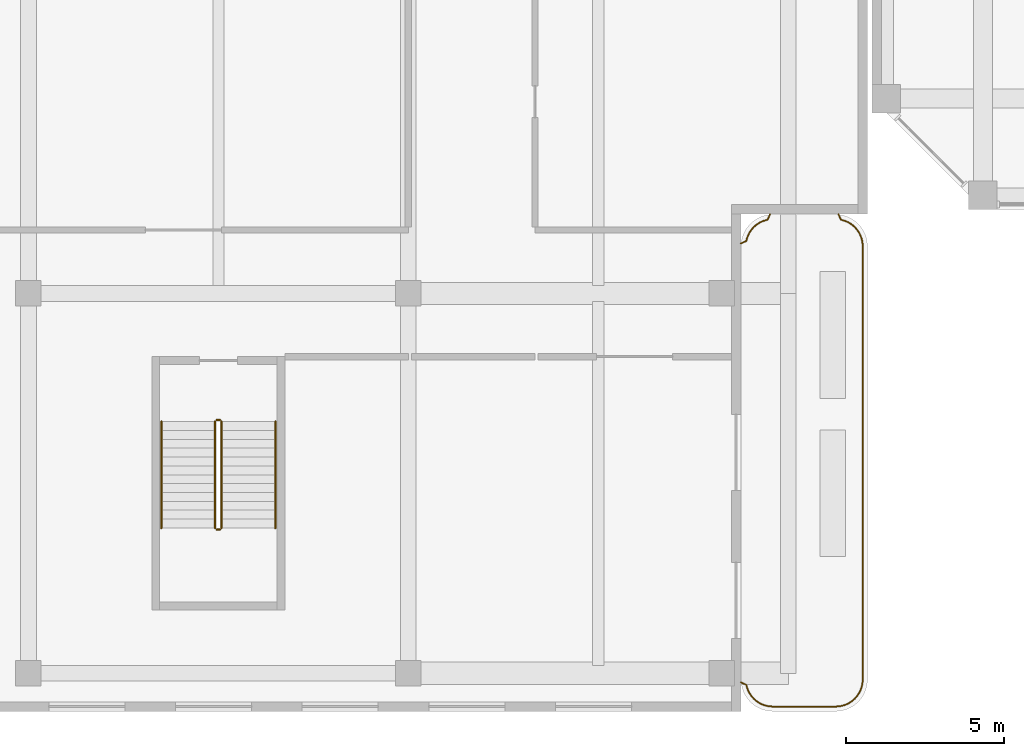
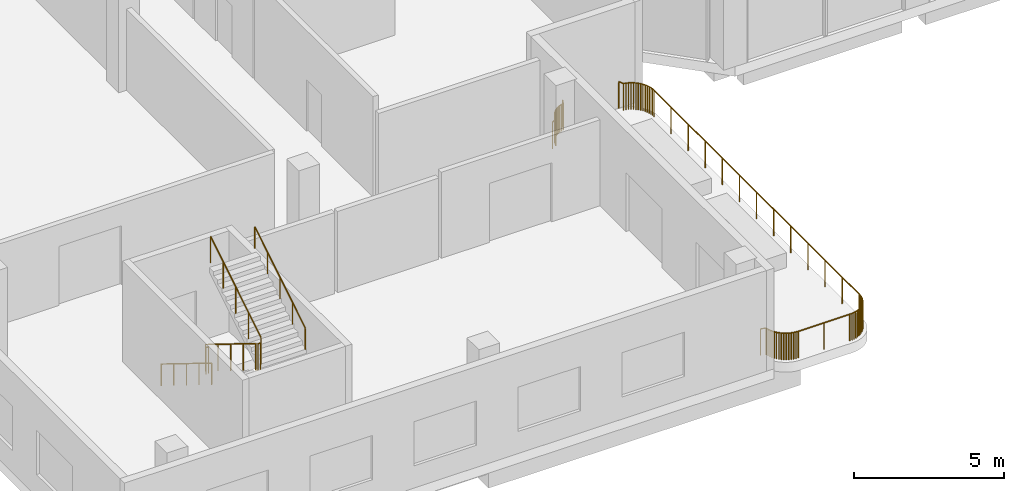
# One storey, part 27 of 35: 8 railings.
"""IFC4 building model written with IfcOpenShell, lengths in metres."""

from ifc_helpers import new_model, si_unit, direction, frame, origin, origin_2d, place, context, subcontext, project, spatial, circle, extrude, material, type_object, element, save


model = new_model("IFC4")

# Units and contexts
model_context = context("Model", 3, precision=1e-05, world=origin(), true_north=direction((0.0, 1.0)))
body_context = subcontext(model_context, "Body", "Model", "MODEL_VIEW")
ifc_project = project(units=[si_unit("LENGTHUNIT", "METRE"), si_unit("AREAUNIT", "SQUARE_METRE"), si_unit("VOLUMEUNIT", "CUBIC_METRE"), si_unit("PLANEANGLEUNIT", "RADIAN"), si_unit("MASSUNIT", "GRAM", prefix="KILO")], contexts=[model_context])

# Site, building, storey
site_placement = place(None, origin())
site = spatial("IfcSite", under=ifc_project, at=site_placement, CompositionType="ELEMENT")
building_placement = place(site_placement, origin())
building = spatial("IfcBuilding", under=site, at=building_placement, Name="Kilnfold Tower and Market Hall", CompositionType="ELEMENT")
storey_placement = place(building_placement, frame((0.0, 0.0, 13.5)))
storey = spatial("IfcBuildingStorey", under=building, at=storey_placement, Name="L02", CompositionType="ELEMENT", Elevation=13.5)

# Railings
ifc_material_1 = material(Name="Steel S355", Category="steel")
railing_type_1 = type_object("IfcRailingType", Name="HALL STAIR GUARD 1100", PredefinedType="GUARDRAIL", material=ifc_material_1)
railing_1_placement = place(storey_placement, frame((-48.75, -34.699951171875, 0.173095703125)))
element("IfcRailing", 1, at=railing_1_placement, inside=storey, type_object=railing_type_1, Name="L02 MS1 stair guard 1", PredefinedType="GUARDRAIL", context=body_context, shape_type="SweptSolid", body=[
    extrude(circle(Radius=0.02392578125, at=origin_2d()), frame((0.0, 0.0, 1.076171875), z_axis=(0.0, -0.850623216509, 0.525775754039), x_axis=(1.0, 0.0, 0.0)), (0.0, 0.0, 1.0), 3.9501953125),
    extrude(circle(Radius=0.02099609375, at=origin_2d()), origin(), (0.0, 0.0, 1.0), 1.052001953125),
    extrude(circle(Radius=0.02099609375, at=origin_2d()), frame((0.0, -0.840087890625, 0.519287109375)), (0.0, 0.0, 1.0), 1.052001953125),
    extrude(circle(Radius=0.02099609375, at=origin_2d()), frame((0.0, -1.68017578125, 1.03857421875)), (0.0, 0.0, 1.0), 1.052001953125),
    extrude(circle(Radius=0.02099609375, at=origin_2d()), frame((0.0, -2.52001953125, 1.5576171875)), (0.0, 0.0, 1.0), 1.052001953125),
    extrude(circle(Radius=0.02099609375, at=origin_2d()), frame((0.0, -3.360107421875, 2.076904296875)), (0.0, 0.0, 1.0), 1.052001953125),
])
railing_2_placement = place(storey_placement, frame((-48.699951171875, -38.110107421875, 2.25)))
element("IfcRailing", 2, at=railing_2_placement, inside=storey, type_object=railing_type_1, Name="L02 MS1 stair guard 2", PredefinedType="GUARDRAIL", context=body_context, shape_type="SweptSolid", body=[
    extrude(circle(Radius=0.02392578125, at=origin_2d()), frame((0.0, 0.0, 1.076171875), z_axis=(1.0, 0.0, 0.0), x_axis=(0.0, 1.0, 0.0)), (0.0, 0.0, 1.0), 0.099853515625),
    extrude(circle(Radius=0.02099609375, at=origin_2d()), origin(), (0.0, 0.0, 1.0), 1.052001953125),
    extrude(circle(Radius=0.02099609375, at=origin_2d()), frame((0.099853515625, 0.0, 0.0)), (0.0, 0.0, 1.0), 1.052001953125),
])
railing_3_placement = place(storey_placement, frame((-48.550048828125, -38.06005859375, 2.423095703125)))
element("IfcRailing", 3, at=railing_3_placement, inside=storey, type_object=railing_type_1, Name="L02 MS1 stair guard 3", PredefinedType="GUARDRAIL", context=body_context, shape_type="SweptSolid", body=[
    extrude(circle(Radius=0.02392578125, at=origin_2d()), frame((0.0, 0.0, 1.076171875), z_axis=(0.0, 0.850623216509, 0.525775754039), x_axis=(-1.0, 0.0, 0.0)), (0.0, 0.0, 1.0), 3.9501953125),
    extrude(circle(Radius=0.02099609375, at=origin_2d()), origin(), (0.0, 0.0, 1.0), 1.052001953125),
    extrude(circle(Radius=0.02099609375, at=origin_2d()), frame((0.0, 0.840087890625, 0.519287109375)), (0.0, 0.0, 1.0), 1.052001953125),
    extrude(circle(Radius=0.02099609375, at=origin_2d()), frame((0.0, 1.68017578125, 1.03857421875)), (0.0, 0.0, 1.0), 1.052001953125),
    extrude(circle(Radius=0.02099609375, at=origin_2d()), frame((0.0, 2.52001953125, 1.5576171875)), (0.0, 0.0, 1.0), 1.052001953125),
    extrude(circle(Radius=0.02099609375, at=origin_2d()), frame((0.0, 3.360107421875, 2.076904296875)), (0.0, 0.0, 1.0), 1.052001953125),
])
railing_4_placement = place(storey_placement, frame((-48.699951171875, -34.64990234375, 0.0)))
element("IfcRailing", 4, at=railing_4_placement, inside=storey, type_object=railing_type_1, Name="L02 MS1 stair guard 4", PredefinedType="GUARDRAIL", context=body_context, shape_type="SweptSolid", body=[
    extrude(circle(Radius=0.02392578125, at=origin_2d()), frame((0.0, 0.0, 1.076171875), z_axis=(1.0, 0.0, 0.0), x_axis=(0.0, 1.0, 0.0)), (0.0, 0.0, 1.0), 0.099853515625),
    extrude(circle(Radius=0.02099609375, at=origin_2d()), origin(), (0.0, 0.0, 1.0), 1.052001953125),
    extrude(circle(Radius=0.02099609375, at=origin_2d()), frame((0.099853515625, 0.0, 0.0)), (0.0, 0.0, 1.0), 1.052001953125),
])
ifc_material_2 = material(Name="Steel S355", Category="steel")
railing_type_2 = type_object("IfcRailingType", Name="HALL STAIR HANDRAIL", PredefinedType="HANDRAIL", material=ifc_material_2)
railing_5_placement = place(storey_placement, frame((-50.449951171875, -34.699951171875, 0.173095703125)))
element("IfcRailing", 5, at=railing_5_placement, inside=storey, type_object=railing_type_2, Name="L02 MS1 stair handrail 1", PredefinedType="HANDRAIL", context=body_context, shape_type="SweptSolid", body=[
    extrude(circle(Radius=0.02392578125, at=origin_2d()), frame((0.0, 0.0, 0.8759765625), z_axis=(0.0, -0.850623216509, 0.525775754039), x_axis=(1.0, 0.0, 0.0)), (0.0, 0.0, 1.0), 3.9501953125),
    extrude(circle(Radius=0.02099609375, at=origin_2d()), origin(), (0.0, 0.0, 1.0), 0.851806640625),
    extrude(circle(Radius=0.02099609375, at=origin_2d()), frame((0.0, -0.840087890625, 0.519287109375)), (0.0, 0.0, 1.0), 0.851806640625),
    extrude(circle(Radius=0.02099609375, at=origin_2d()), frame((0.0, -1.68017578125, 1.03857421875)), (0.0, 0.0, 1.0), 0.851806640625),
    extrude(circle(Radius=0.02099609375, at=origin_2d()), frame((0.0, -2.52001953125, 1.5576171875)), (0.0, 0.0, 1.0), 0.851806640625),
    extrude(circle(Radius=0.02099609375, at=origin_2d()), frame((0.0, -3.360107421875, 2.076904296875)), (0.0, 0.0, 1.0), 0.851806640625),
])
railing_6_placement = place(storey_placement, frame((-46.85009765625, -38.06005859375, 2.423095703125)))
element("IfcRailing", 6, at=railing_6_placement, inside=storey, type_object=railing_type_2, Name="L02 MS1 stair handrail 2", PredefinedType="HANDRAIL", context=body_context, shape_type="SweptSolid", body=[
    extrude(circle(Radius=0.02392578125, at=origin_2d()), frame((0.0, 0.0, 0.8759765625), z_axis=(0.0, 0.850623216509, 0.525775754039), x_axis=(-1.0, 0.0, 0.0)), (0.0, 0.0, 1.0), 3.9501953125),
    extrude(circle(Radius=0.02099609375, at=origin_2d()), origin(), (0.0, 0.0, 1.0), 0.851806640625),
    extrude(circle(Radius=0.02099609375, at=origin_2d()), frame((0.0, 0.840087890625, 0.519287109375)), (0.0, 0.0, 1.0), 0.851806640625),
    extrude(circle(Radius=0.02099609375, at=origin_2d()), frame((0.0, 1.68017578125, 1.03857421875)), (0.0, 0.0, 1.0), 0.851806640625),
    extrude(circle(Radius=0.02099609375, at=origin_2d()), frame((0.0, 2.52001953125, 1.5576171875)), (0.0, 0.0, 1.0), 0.851806640625),
    extrude(circle(Radius=0.02099609375, at=origin_2d()), frame((0.0, 3.360107421875, 2.076904296875)), (0.0, 0.0, 1.0), 0.851806640625),
])
ifc_material_3 = material(Name="Steel S355", Category="steel")
railing_type_3 = type_object("IfcRailingType", Name="TERRACE GUARD 1100", PredefinedType="GUARDRAIL", material=ifc_material_3)
railing_7_placement = place(storey_placement, frame((-29.066650390625, -28.14990234375, 0.0)))
element("IfcRailing", 7, at=railing_7_placement, inside=storey, type_object=railing_type_3, Name="Terrace guard L02", PredefinedType="GUARDRAIL", context=body_context, shape_type="SweptSolid", body=[
    extrude(circle(Radius=0.02392578125, at=origin_2d()), frame((0.0, 0.0, 1.076171875), z_axis=(0.42350270475, -0.905894838858, 0.0), x_axis=(0.905894838858, 0.42350270475, 0.0)), (0.0, 0.0, 1.0), 0.19482421875),
    extrude(circle(Radius=0.02392578125, at=origin_2d()), frame((0.08251953125, -0.176513671875, 1.076171875), z_axis=(0.969969877317, -0.243225074977, 0.0), x_axis=(0.243225074977, 0.969969877317, 0.0)), (0.0, 0.0, 1.0), 0.083251953125),
    extrude(circle(Radius=0.02392578125, at=origin_2d()), frame((0.163330078125, -0.19677734375, 1.076171875), z_axis=(0.940812896161, -0.338926384952, 0.0), x_axis=(0.338926384952, 0.940812896161, 0.0)), (0.0, 0.0, 1.0), 0.08349609375),
    extrude(circle(Radius=0.02392578125, at=origin_2d()), frame((0.241943359375, -0.22509765625, 1.076171875), z_axis=(0.904752118748, -0.425938497463, 0.0), x_axis=(0.425938497463, 0.904752118748, 0.0)), (0.0, 0.0, 1.0), 0.0830078125),
    extrude(circle(Radius=0.02392578125, at=origin_2d()), frame((0.317138671875, -0.260498046875, 1.076171875), z_axis=(0.857234666397, -0.514925942955, 0.0), x_axis=(0.514925942955, 0.857234666397, 0.0)), (0.0, 0.0, 1.0), 0.08349609375),
    extrude(circle(Radius=0.02392578125, at=origin_2d()), frame((0.388671875, -0.303466796875, 1.076171875), z_axis=(0.803143107794, -0.595786159963, 0.0), x_axis=(0.595786159963, 0.803143107794, 0.0)), (0.0, 0.0, 1.0), 0.08349609375),
    extrude(circle(Radius=0.02392578125, at=origin_2d()), frame((0.455810546875, -0.353271484375, 1.076171875), z_axis=(0.741396915291, -0.671066773129, 0.0), x_axis=(0.671066773129, 0.741396915291, 0.0)), (0.0, 0.0, 1.0), 0.083251953125),
    extrude(circle(Radius=0.02392578125, at=origin_2d()), frame((0.517578125, -0.4091796875, 1.076171875), z_axis=(0.671066773129, -0.741396915291, 0.0), x_axis=(0.741396915291, 0.671066773129, 0.0)), (0.0, 0.0, 1.0), 0.083251953125),
    extrude(circle(Radius=0.02392578125, at=origin_2d()), frame((0.573486328125, -0.470947265625, 1.076171875), z_axis=(0.595786159963, -0.803143107794, 0.0), x_axis=(0.803143107794, 0.595786159963, 0.0)), (0.0, 0.0, 1.0), 0.08349609375),
    extrude(circle(Radius=0.02392578125, at=origin_2d()), frame((0.623291015625, -0.5380859375, 1.076171875), z_axis=(0.514925942955, -0.857234666397, 0.0), x_axis=(0.857234666397, 0.514925942955, 0.0)), (0.0, 0.0, 1.0), 0.08349609375),
    extrude(circle(Radius=0.02392578125, at=origin_2d()), frame((0.666259765625, -0.609619140625, 1.076171875), z_axis=(0.425938497463, -0.904752118748, 0.0), x_axis=(0.904752118748, 0.425938497463, 0.0)), (0.0, 0.0, 1.0), 0.0830078125),
    extrude(circle(Radius=0.02392578125, at=origin_2d()), frame((0.70166015625, -0.684814453125, 1.076171875), z_axis=(0.336336396998, -0.941741911595, 0.0), x_axis=(0.941741911595, 0.336336396998, 0.0)), (0.0, 0.0, 1.0), 0.08349609375),
    extrude(circle(Radius=0.02392578125, at=origin_2d()), frame((0.729736328125, -0.763427734375, 1.076171875), z_axis=(0.245979182383, -0.969275111531, 0.0), x_axis=(0.969275111531, 0.245979182383, 0.0)), (0.0, 0.0, 1.0), 0.083251953125),
    extrude(circle(Radius=0.02392578125, at=origin_2d()), frame((0.750244140625, -0.84423828125, 1.076171875), z_axis=(0.146336518873, -0.989234867584, 0.0), x_axis=(0.989234867584, 0.146336518873, 0.0)), (0.0, 0.0, 1.0), 0.08349609375),
    extrude(circle(Radius=0.02392578125, at=origin_2d()), frame((0.762451171875, -0.9267578125, 1.076171875), z_axis=(0.047565149415, -0.998868137724, 0.0), x_axis=(0.998868137724, 0.047565149415, 0.0)), (0.0, 0.0, 1.0), 0.087158203125),
    extrude(circle(Radius=0.02392578125, at=origin_2d()), frame((0.7666015625, -1.013916015625, 1.076171875), z_axis=(0.0, -1.0, 0.0), x_axis=(1.0, 0.0, 0.0)), (0.0, 0.0, 1.0), 13.682373046875),
    extrude(circle(Radius=0.02392578125, at=origin_2d()), frame((0.7666015625, -14.6962890625, 1.076171875), z_axis=(-0.047565149415, -0.998868137724, 0.0), x_axis=(0.998868137724, -0.047565149415, 0.0)), (0.0, 0.0, 1.0), 0.087158203125),
    extrude(circle(Radius=0.02392578125, at=origin_2d()), frame((0.762451171875, -14.783447265625, 1.076171875), z_axis=(-0.146336518873, -0.989234867584, 0.0), x_axis=(0.989234867584, -0.146336518873, 0.0)), (0.0, 0.0, 1.0), 0.08349609375),
    extrude(circle(Radius=0.02392578125, at=origin_2d()), frame((0.750244140625, -14.865966796875, 1.076171875), z_axis=(-0.245979182383, -0.969275111531, 0.0), x_axis=(0.969275111531, -0.245979182383, 0.0)), (0.0, 0.0, 1.0), 0.083251953125),
    extrude(circle(Radius=0.02392578125, at=origin_2d()), frame((0.729736328125, -14.94677734375, 1.076171875), z_axis=(-0.336336396998, -0.941741911595, 0.0), x_axis=(0.941741911595, -0.336336396998, 0.0)), (0.0, 0.0, 1.0), 0.08349609375),
    extrude(circle(Radius=0.02392578125, at=origin_2d()), frame((0.70166015625, -15.025390625, 1.076171875), z_axis=(-0.425938497463, -0.904752118748, 0.0), x_axis=(0.904752118748, -0.425938497463, 0.0)), (0.0, 0.0, 1.0), 0.0830078125),
    extrude(circle(Radius=0.02392578125, at=origin_2d()), frame((0.666259765625, -15.1005859375, 1.076171875), z_axis=(-0.514925942955, -0.857234666397, 0.0), x_axis=(0.857234666397, -0.514925942955, 0.0)), (0.0, 0.0, 1.0), 0.08349609375),
    extrude(circle(Radius=0.02392578125, at=origin_2d()), frame((0.623291015625, -15.172119140625, 1.076171875), z_axis=(-0.595786159963, -0.803143107794, 0.0), x_axis=(0.803143107794, -0.595786159963, 0.0)), (0.0, 0.0, 1.0), 0.08349609375),
    extrude(circle(Radius=0.02392578125, at=origin_2d()), frame((0.573486328125, -15.2392578125, 1.076171875), z_axis=(-0.671066773129, -0.741396915291, 0.0), x_axis=(0.741396915291, -0.671066773129, 0.0)), (0.0, 0.0, 1.0), 0.083251953125),
    extrude(circle(Radius=0.02392578125, at=origin_2d()), frame((0.517578125, -15.301025390625, 1.076171875), z_axis=(-0.741396915291, -0.671066773129, 0.0), x_axis=(0.671066773129, -0.741396915291, 0.0)), (0.0, 0.0, 1.0), 0.083251953125),
    extrude(circle(Radius=0.02392578125, at=origin_2d()), frame((0.455810546875, -15.35693359375, 1.076171875), z_axis=(-0.803143107794, -0.595786159963, 0.0), x_axis=(0.595786159963, -0.803143107794, 0.0)), (0.0, 0.0, 1.0), 0.08349609375),
    extrude(circle(Radius=0.02392578125, at=origin_2d()), frame((0.388671875, -15.40673828125, 1.076171875), z_axis=(-0.857234666397, -0.514925942955, 0.0), x_axis=(0.514925942955, -0.857234666397, 0.0)), (0.0, 0.0, 1.0), 0.08349609375),
    extrude(circle(Radius=0.02392578125, at=origin_2d()), frame((0.317138671875, -15.44970703125, 1.076171875), z_axis=(-0.904752118748, -0.425938497463, 0.0), x_axis=(0.425938497463, -0.904752118748, 0.0)), (0.0, 0.0, 1.0), 0.0830078125),
    extrude(circle(Radius=0.02392578125, at=origin_2d()), frame((0.241943359375, -15.485107421875, 1.076171875), z_axis=(-0.941741911595, -0.336336396998, 0.0), x_axis=(0.336336396998, -0.941741911595, 0.0)), (0.0, 0.0, 1.0), 0.08349609375),
    extrude(circle(Radius=0.02392578125, at=origin_2d()), frame((0.163330078125, -15.51318359375, 1.076171875), z_axis=(-0.969275111531, -0.245979182383, 0.0), x_axis=(0.245979182383, -0.969275111531, 0.0)), (0.0, 0.0, 1.0), 0.083251953125),
    extrude(circle(Radius=0.02392578125, at=origin_2d()), frame((0.08251953125, -15.53369140625, 1.076171875), z_axis=(-0.989234867584, -0.146336518873, 0.0), x_axis=(0.146336518873, -0.989234867584, 0.0)), (0.0, 0.0, 1.0), 0.08349609375),
    extrude(circle(Radius=0.02392578125, at=origin_2d()), frame((0.0, -15.5458984375, 1.076171875), z_axis=(-0.998868137724, -0.047565149415, 0.0), x_axis=(0.047565149415, -0.998868137724, 0.0)), (0.0, 0.0, 1.0), 0.087158203125),
    extrude(circle(Radius=0.02392578125, at=origin_2d()), frame((-0.087158203125, -15.550048828125, 1.076171875), z_axis=(-1.0, 0.0, 0.0), x_axis=(0.0, -1.0, 0.0)), (0.0, 0.0, 1.0), 1.982421875),
    extrude(circle(Radius=0.02392578125, at=origin_2d()), frame((-2.069580078125, -15.550048828125, 1.076171875), z_axis=(-0.998868137724, 0.047565149415, 0.0), x_axis=(-0.047565149415, -0.998868137724, 0.0)), (0.0, 0.0, 1.0), 0.087158203125),
    extrude(circle(Radius=0.02392578125, at=origin_2d()), frame((-2.15673828125, -15.5458984375, 1.076171875), z_axis=(-0.989234867584, 0.146336518873, 0.0), x_axis=(-0.146336518873, -0.989234867584, 0.0)), (0.0, 0.0, 1.0), 0.08349609375),
    extrude(circle(Radius=0.02392578125, at=origin_2d()), frame((-2.2392578125, -15.53369140625, 1.076171875), z_axis=(-0.969275111531, 0.245979182383, 0.0), x_axis=(-0.245979182383, -0.969275111531, 0.0)), (0.0, 0.0, 1.0), 0.083251953125),
    extrude(circle(Radius=0.02392578125, at=origin_2d()), frame((-2.320068359375, -15.51318359375, 1.076171875), z_axis=(-0.941409695483, 0.337265155703, 0.0), x_axis=(-0.337265155703, -0.941409695483, 0.0)), (0.0, 0.0, 1.0), 0.083251953125),
    extrude(circle(Radius=0.02392578125, at=origin_2d()), frame((-2.3984375, -15.485107421875, 1.076171875), z_axis=(-0.905282934346, 0.424809143949, 0.0), x_axis=(-0.424809143949, -0.905282934346, 0.0)), (0.0, 0.0, 1.0), 0.083251953125),
    extrude(circle(Radius=0.02392578125, at=origin_2d()), frame((-2.473876953125, -15.44970703125, 1.076171875), z_axis=(-0.857234666397, 0.514925942955, 0.0), x_axis=(-0.514925942955, -0.857234666397, 0.0)), (0.0, 0.0, 1.0), 0.08349609375),
    extrude(circle(Radius=0.02392578125, at=origin_2d()), frame((-2.54541015625, -15.40673828125, 1.076171875), z_axis=(-0.803143107794, 0.595786159963, 0.0), x_axis=(-0.595786159963, -0.803143107794, 0.0)), (0.0, 0.0, 1.0), 0.08349609375),
    extrude(circle(Radius=0.02392578125, at=origin_2d()), frame((-2.612548828125, -15.35693359375, 1.076171875), z_axis=(-0.741396915291, 0.671066773129, 0.0), x_axis=(-0.671066773129, -0.741396915291, 0.0)), (0.0, 0.0, 1.0), 0.083251953125),
    extrude(circle(Radius=0.02392578125, at=origin_2d()), frame((-2.67431640625, -15.301025390625, 1.076171875), z_axis=(-0.671066773129, 0.741396915291, 0.0), x_axis=(-0.741396915291, -0.671066773129, 0.0)), (0.0, 0.0, 1.0), 0.083251953125),
    extrude(circle(Radius=0.02392578125, at=origin_2d()), frame((-2.730224609375, -15.2392578125, 1.076171875), z_axis=(-0.595786159963, 0.803143107794, 0.0), x_axis=(-0.803143107794, -0.595786159963, 0.0)), (0.0, 0.0, 1.0), 0.08349609375),
    extrude(circle(Radius=0.02392578125, at=origin_2d()), frame((-2.780029296875, -15.172119140625, 1.076171875), z_axis=(-0.512771115683, 0.858525353686, 0.0), x_axis=(-0.858525353686, -0.512771115683, 0.0)), (0.0, 0.0, 1.0), 0.083251953125),
    extrude(circle(Radius=0.02392578125, at=origin_2d()), frame((-2.82275390625, -15.1005859375, 1.076171875), z_axis=(-0.428338557428, 0.903618326629, 0.0), x_axis=(-0.903618326629, -0.428338557428, 0.0)), (0.0, 0.0, 1.0), 0.083251953125),
    extrude(circle(Radius=0.02392578125, at=origin_2d()), frame((-2.8583984375, -15.025390625, 1.076171875), z_axis=(-0.336336396998, 0.941741911595, 0.0), x_axis=(-0.941741911595, -0.336336396998, 0.0)), (0.0, 0.0, 1.0), 0.08349609375),
    extrude(circle(Radius=0.02392578125, at=origin_2d()), frame((-2.886474609375, -14.94677734375, 1.076171875), z_axis=(-0.243225074977, 0.969969877317, 0.0), x_axis=(-0.969969877317, -0.243225074977, 0.0)), (0.0, 0.0, 1.0), 0.083251953125),
    extrude(circle(Radius=0.02392578125, at=origin_2d()), frame((-2.90673828125, -14.865966796875, 1.076171875), z_axis=(-0.905894838858, 0.42350270475, 0.0), x_axis=(-0.42350270475, -0.905894838858, 0.0)), (0.0, 0.0, 1.0), 0.19482421875),
    extrude(circle(Radius=0.02099609375, at=origin_2d()), origin(), (0.0, 0.0, 1.0), 1.052001953125),
    extrude(circle(Radius=0.02099609375, at=origin_2d()), frame((0.08251953125, -0.176513671875, 0.0)), (0.0, 0.0, 1.0), 1.052001953125),
    extrude(circle(Radius=0.02099609375, at=origin_2d()), frame((0.163330078125, -0.19677734375, 0.0)), (0.0, 0.0, 1.0), 1.052001953125),
    extrude(circle(Radius=0.02099609375, at=origin_2d()), frame((0.241943359375, -0.22509765625, 0.0)), (0.0, 0.0, 1.0), 1.052001953125),
    extrude(circle(Radius=0.02099609375, at=origin_2d()), frame((0.317138671875, -0.260498046875, 0.0)), (0.0, 0.0, 1.0), 1.052001953125),
    extrude(circle(Radius=0.02099609375, at=origin_2d()), frame((0.388671875, -0.303466796875, 0.0)), (0.0, 0.0, 1.0), 1.052001953125),
    extrude(circle(Radius=0.02099609375, at=origin_2d()), frame((0.455810546875, -0.353271484375, 0.0)), (0.0, 0.0, 1.0), 1.052001953125),
    extrude(circle(Radius=0.02099609375, at=origin_2d()), frame((0.517578125, -0.4091796875, 0.0)), (0.0, 0.0, 1.0), 1.052001953125),
    extrude(circle(Radius=0.02099609375, at=origin_2d()), frame((0.573486328125, -0.470947265625, 0.0)), (0.0, 0.0, 1.0), 1.052001953125),
    extrude(circle(Radius=0.02099609375, at=origin_2d()), frame((0.623291015625, -0.5380859375, 0.0)), (0.0, 0.0, 1.0), 1.052001953125),
    extrude(circle(Radius=0.02099609375, at=origin_2d()), frame((0.666259765625, -0.609619140625, 0.0)), (0.0, 0.0, 1.0), 1.052001953125),
    extrude(circle(Radius=0.02099609375, at=origin_2d()), frame((0.70166015625, -0.684814453125, 0.0)), (0.0, 0.0, 1.0), 1.052001953125),
    extrude(circle(Radius=0.02099609375, at=origin_2d()), frame((0.729736328125, -0.763427734375, 0.0)), (0.0, 0.0, 1.0), 1.052001953125),
    extrude(circle(Radius=0.02099609375, at=origin_2d()), frame((0.750244140625, -0.84423828125, 0.0)), (0.0, 0.0, 1.0), 1.052001953125),
    extrude(circle(Radius=0.02099609375, at=origin_2d()), frame((0.762451171875, -0.9267578125, 0.0)), (0.0, 0.0, 1.0), 1.052001953125),
    extrude(circle(Radius=0.02099609375, at=origin_2d()), frame((0.7666015625, -1.013916015625, 0.0)), (0.0, 0.0, 1.0), 1.052001953125),
    extrude(circle(Radius=0.02099609375, at=origin_2d()), frame((0.7666015625, -2.154052734375, 0.0)), (0.0, 0.0, 1.0), 1.052001953125),
    extrude(circle(Radius=0.02099609375, at=origin_2d()), frame((0.7666015625, -3.29443359375, 0.0)), (0.0, 0.0, 1.0), 1.052001953125),
    extrude(circle(Radius=0.02099609375, at=origin_2d()), frame((0.7666015625, -4.4345703125, 0.0)), (0.0, 0.0, 1.0), 1.052001953125),
    extrude(circle(Radius=0.02099609375, at=origin_2d()), frame((0.7666015625, -5.57470703125, 0.0)), (0.0, 0.0, 1.0), 1.052001953125),
    extrude(circle(Radius=0.02099609375, at=origin_2d()), frame((0.7666015625, -6.71484375, 0.0)), (0.0, 0.0, 1.0), 1.052001953125),
    extrude(circle(Radius=0.02099609375, at=origin_2d()), frame((0.7666015625, -7.85498046875, 0.0)), (0.0, 0.0, 1.0), 1.052001953125),
    extrude(circle(Radius=0.02099609375, at=origin_2d()), frame((0.7666015625, -8.995361328125, 0.0)), (0.0, 0.0, 1.0), 1.052001953125),
    extrude(circle(Radius=0.02099609375, at=origin_2d()), frame((0.7666015625, -10.135498046875, 0.0)), (0.0, 0.0, 1.0), 1.052001953125),
    extrude(circle(Radius=0.02099609375, at=origin_2d()), frame((0.7666015625, -11.275634765625, 0.0)), (0.0, 0.0, 1.0), 1.052001953125),
    extrude(circle(Radius=0.02099609375, at=origin_2d()), frame((0.7666015625, -12.416015625, 0.0)), (0.0, 0.0, 1.0), 1.052001953125),
    extrude(circle(Radius=0.02099609375, at=origin_2d()), frame((0.7666015625, -13.55615234375, 0.0)), (0.0, 0.0, 1.0), 1.052001953125),
    extrude(circle(Radius=0.02099609375, at=origin_2d()), frame((0.7666015625, -14.6962890625, 0.0)), (0.0, 0.0, 1.0), 1.052001953125),
    extrude(circle(Radius=0.02099609375, at=origin_2d()), frame((0.762451171875, -14.783447265625, 0.0)), (0.0, 0.0, 1.0), 1.052001953125),
    extrude(circle(Radius=0.02099609375, at=origin_2d()), frame((0.750244140625, -14.865966796875, 0.0)), (0.0, 0.0, 1.0), 1.052001953125),
    extrude(circle(Radius=0.02099609375, at=origin_2d()), frame((0.729736328125, -14.94677734375, 0.0)), (0.0, 0.0, 1.0), 1.052001953125),
    extrude(circle(Radius=0.02099609375, at=origin_2d()), frame((0.70166015625, -15.025390625, 0.0)), (0.0, 0.0, 1.0), 1.052001953125),
    extrude(circle(Radius=0.02099609375, at=origin_2d()), frame((0.666259765625, -15.1005859375, 0.0)), (0.0, 0.0, 1.0), 1.052001953125),
    extrude(circle(Radius=0.02099609375, at=origin_2d()), frame((0.623291015625, -15.172119140625, 0.0)), (0.0, 0.0, 1.0), 1.052001953125),
    extrude(circle(Radius=0.02099609375, at=origin_2d()), frame((0.573486328125, -15.2392578125, 0.0)), (0.0, 0.0, 1.0), 1.052001953125),
    extrude(circle(Radius=0.02099609375, at=origin_2d()), frame((0.517578125, -15.301025390625, 0.0)), (0.0, 0.0, 1.0), 1.052001953125),
    extrude(circle(Radius=0.02099609375, at=origin_2d()), frame((0.455810546875, -15.35693359375, 0.0)), (0.0, 0.0, 1.0), 1.052001953125),
    extrude(circle(Radius=0.02099609375, at=origin_2d()), frame((0.388671875, -15.40673828125, 0.0)), (0.0, 0.0, 1.0), 1.052001953125),
    extrude(circle(Radius=0.02099609375, at=origin_2d()), frame((0.317138671875, -15.44970703125, 0.0)), (0.0, 0.0, 1.0), 1.052001953125),
    extrude(circle(Radius=0.02099609375, at=origin_2d()), frame((0.241943359375, -15.485107421875, 0.0)), (0.0, 0.0, 1.0), 1.052001953125),
    extrude(circle(Radius=0.02099609375, at=origin_2d()), frame((0.163330078125, -15.51318359375, 0.0)), (0.0, 0.0, 1.0), 1.052001953125),
    extrude(circle(Radius=0.02099609375, at=origin_2d()), frame((0.08251953125, -15.53369140625, 0.0)), (0.0, 0.0, 1.0), 1.052001953125),
    extrude(circle(Radius=0.02099609375, at=origin_2d()), frame((0.0, -15.5458984375, 0.0)), (0.0, 0.0, 1.0), 1.052001953125),
    extrude(circle(Radius=0.02099609375, at=origin_2d()), frame((-0.087158203125, -15.550048828125, 0.0)), (0.0, 0.0, 1.0), 1.052001953125),
    extrude(circle(Radius=0.02099609375, at=origin_2d()), frame((-1.078369140625, -15.550048828125, 0.0)), (0.0, 0.0, 1.0), 1.052001953125),
    extrude(circle(Radius=0.02099609375, at=origin_2d()), frame((-2.069580078125, -15.550048828125, 0.0)), (0.0, 0.0, 1.0), 1.052001953125),
    extrude(circle(Radius=0.02099609375, at=origin_2d()), frame((-2.15673828125, -15.5458984375, 0.0)), (0.0, 0.0, 1.0), 1.052001953125),
    extrude(circle(Radius=0.02099609375, at=origin_2d()), frame((-2.2392578125, -15.53369140625, 0.0)), (0.0, 0.0, 1.0), 1.052001953125),
    extrude(circle(Radius=0.02099609375, at=origin_2d()), frame((-2.320068359375, -15.51318359375, 0.0)), (0.0, 0.0, 1.0), 1.052001953125),
    extrude(circle(Radius=0.02099609375, at=origin_2d()), frame((-2.3984375, -15.485107421875, 0.0)), (0.0, 0.0, 1.0), 1.052001953125),
    extrude(circle(Radius=0.02099609375, at=origin_2d()), frame((-2.473876953125, -15.44970703125, 0.0)), (0.0, 0.0, 1.0), 1.052001953125),
    extrude(circle(Radius=0.02099609375, at=origin_2d()), frame((-2.54541015625, -15.40673828125, 0.0)), (0.0, 0.0, 1.0), 1.052001953125),
    extrude(circle(Radius=0.02099609375, at=origin_2d()), frame((-2.612548828125, -15.35693359375, 0.0)), (0.0, 0.0, 1.0), 1.052001953125),
    extrude(circle(Radius=0.02099609375, at=origin_2d()), frame((-2.67431640625, -15.301025390625, 0.0)), (0.0, 0.0, 1.0), 1.052001953125),
    extrude(circle(Radius=0.02099609375, at=origin_2d()), frame((-2.730224609375, -15.2392578125, 0.0)), (0.0, 0.0, 1.0), 1.052001953125),
    extrude(circle(Radius=0.02099609375, at=origin_2d()), frame((-2.780029296875, -15.172119140625, 0.0)), (0.0, 0.0, 1.0), 1.052001953125),
    extrude(circle(Radius=0.02099609375, at=origin_2d()), frame((-2.82275390625, -15.1005859375, 0.0)), (0.0, 0.0, 1.0), 1.052001953125),
    extrude(circle(Radius=0.02099609375, at=origin_2d()), frame((-2.8583984375, -15.025390625, 0.0)), (0.0, 0.0, 1.0), 1.052001953125),
    extrude(circle(Radius=0.02099609375, at=origin_2d()), frame((-2.886474609375, -14.94677734375, 0.0)), (0.0, 0.0, 1.0), 1.052001953125),
    extrude(circle(Radius=0.02099609375, at=origin_2d()), frame((-2.90673828125, -14.865966796875, 0.0)), (0.0, 0.0, 1.0), 1.052001953125),
    extrude(circle(Radius=0.02099609375, at=origin_2d()), frame((-3.083251953125, -14.783447265625, 0.0)), (0.0, 0.0, 1.0), 1.052001953125),
])
railing_8_placement = place(storey_placement, frame((-32.14990234375, -29.07666015625, 0.0)))
element("IfcRailing", 8, at=railing_8_placement, inside=storey, type_object=railing_type_3, Name="Terrace guard L02", PredefinedType="GUARDRAIL", context=body_context, shape_type="SweptSolid", body=[
    extrude(circle(Radius=0.02392578125, at=origin_2d()), frame((0.0, 0.0, 1.076171875), z_axis=(0.905894838858, 0.42350270475, 0.0), x_axis=(-0.42350270475, 0.905894838858, 0.0)), (0.0, 0.0, 1.0), 0.19482421875),
    extrude(circle(Radius=0.02392578125, at=origin_2d()), frame((0.176513671875, 0.08251953125, 1.076171875), z_axis=(0.243225074977, 0.969969877317, 0.0), x_axis=(-0.969969877317, 0.243225074977, 0.0)), (0.0, 0.0, 1.0), 0.083251953125),
    extrude(circle(Radius=0.02392578125, at=origin_2d()), frame((0.19677734375, 0.163330078125, 1.076171875), z_axis=(0.336336396998, 0.941741911595, 0.0), x_axis=(-0.941741911595, 0.336336396998, 0.0)), (0.0, 0.0, 1.0), 0.08349609375),
    extrude(circle(Radius=0.02392578125, at=origin_2d()), frame((0.224853515625, 0.241943359375, 1.076171875), z_axis=(0.428338557428, 0.903618326629, 0.0), x_axis=(-0.903618326629, 0.428338557428, 0.0)), (0.0, 0.0, 1.0), 0.083251953125),
    extrude(circle(Radius=0.02392578125, at=origin_2d()), frame((0.260498046875, 0.317138671875, 1.076171875), z_axis=(0.512771115683, 0.858525353686, 0.0), x_axis=(-0.858525353686, 0.512771115683, 0.0)), (0.0, 0.0, 1.0), 0.083251953125),
    extrude(circle(Radius=0.02392578125, at=origin_2d()), frame((0.30322265625, 0.388671875, 1.076171875), z_axis=(0.595786159963, 0.803143107794, 0.0), x_axis=(-0.803143107794, 0.595786159963, 0.0)), (0.0, 0.0, 1.0), 0.08349609375),
    extrude(circle(Radius=0.02392578125, at=origin_2d()), frame((0.35302734375, 0.455810546875, 1.076171875), z_axis=(0.671066773129, 0.741396915291, 0.0), x_axis=(-0.741396915291, 0.671066773129, 0.0)), (0.0, 0.0, 1.0), 0.083251953125),
    extrude(circle(Radius=0.02392578125, at=origin_2d()), frame((0.408935546875, 0.517578125, 1.076171875), z_axis=(0.741396915291, 0.671066773129, 0.0), x_axis=(-0.671066773129, 0.741396915291, 0.0)), (0.0, 0.0, 1.0), 0.083251953125),
    extrude(circle(Radius=0.02392578125, at=origin_2d()), frame((0.470703125, 0.573486328125, 1.076171875), z_axis=(0.803143107794, 0.595786159963, 0.0), x_axis=(-0.595786159963, 0.803143107794, 0.0)), (0.0, 0.0, 1.0), 0.08349609375),
    extrude(circle(Radius=0.02392578125, at=origin_2d()), frame((0.537841796875, 0.623291015625, 1.076171875), z_axis=(0.857234666397, 0.514925942955, 0.0), x_axis=(-0.514925942955, 0.857234666397, 0.0)), (0.0, 0.0, 1.0), 0.08349609375),
    extrude(circle(Radius=0.02392578125, at=origin_2d()), frame((0.609375, 0.666259765625, 1.076171875), z_axis=(0.905282934346, 0.424809143949, 0.0), x_axis=(-0.424809143949, 0.905282934346, 0.0)), (0.0, 0.0, 1.0), 0.083251953125),
    extrude(circle(Radius=0.02392578125, at=origin_2d()), frame((0.684814453125, 0.70166015625, 1.076171875), z_axis=(0.94047587938, 0.339860442393, 0.0), x_axis=(-0.339860442393, 0.94047587938, 0.0)), (0.0, 0.0, 1.0), 0.083251953125),
    extrude(circle(Radius=0.02392578125, at=origin_2d()), frame((0.76318359375, 0.72998046875, 1.076171875), z_axis=(0.969969877317, 0.243225074977, 0.0), x_axis=(-0.243225074977, 0.969969877317, 0.0)), (0.0, 0.0, 1.0), 0.083251953125),
    extrude(circle(Radius=0.02392578125, at=origin_2d()), frame((0.843994140625, 0.750244140625, 1.076171875), z_axis=(0.42350270475, 0.905894838858, 0.0), x_axis=(-0.905894838858, 0.42350270475, 0.0)), (0.0, 0.0, 1.0), 0.19482421875),
    extrude(circle(Radius=0.02099609375, at=origin_2d()), origin(), (0.0, 0.0, 1.0), 1.052001953125),
    extrude(circle(Radius=0.02099609375, at=origin_2d()), frame((0.176513671875, 0.08251953125, 0.0)), (0.0, 0.0, 1.0), 1.052001953125),
    extrude(circle(Radius=0.02099609375, at=origin_2d()), frame((0.19677734375, 0.163330078125, 0.0)), (0.0, 0.0, 1.0), 1.052001953125),
    extrude(circle(Radius=0.02099609375, at=origin_2d()), frame((0.224853515625, 0.241943359375, 0.0)), (0.0, 0.0, 1.0), 1.052001953125),
    extrude(circle(Radius=0.02099609375, at=origin_2d()), frame((0.260498046875, 0.317138671875, 0.0)), (0.0, 0.0, 1.0), 1.052001953125),
    extrude(circle(Radius=0.02099609375, at=origin_2d()), frame((0.30322265625, 0.388671875, 0.0)), (0.0, 0.0, 1.0), 1.052001953125),
    extrude(circle(Radius=0.02099609375, at=origin_2d()), frame((0.35302734375, 0.455810546875, 0.0)), (0.0, 0.0, 1.0), 1.052001953125),
    extrude(circle(Radius=0.02099609375, at=origin_2d()), frame((0.408935546875, 0.517578125, 0.0)), (0.0, 0.0, 1.0), 1.052001953125),
    extrude(circle(Radius=0.02099609375, at=origin_2d()), frame((0.470703125, 0.573486328125, 0.0)), (0.0, 0.0, 1.0), 1.052001953125),
    extrude(circle(Radius=0.02099609375, at=origin_2d()), frame((0.537841796875, 0.623291015625, 0.0)), (0.0, 0.0, 1.0), 1.052001953125),
    extrude(circle(Radius=0.02099609375, at=origin_2d()), frame((0.609375, 0.666259765625, 0.0)), (0.0, 0.0, 1.0), 1.052001953125),
    extrude(circle(Radius=0.02099609375, at=origin_2d()), frame((0.684814453125, 0.70166015625, 0.0)), (0.0, 0.0, 1.0), 1.052001953125),
    extrude(circle(Radius=0.02099609375, at=origin_2d()), frame((0.76318359375, 0.72998046875, 0.0)), (0.0, 0.0, 1.0), 1.052001953125),
    extrude(circle(Radius=0.02099609375, at=origin_2d()), frame((0.843994140625, 0.750244140625, 0.0)), (0.0, 0.0, 1.0), 1.052001953125),
    extrude(circle(Radius=0.02099609375, at=origin_2d()), frame((0.926513671875, 0.9267578125, 0.0)), (0.0, 0.0, 1.0), 1.052001953125),
])

save(model, "model.ifc")
